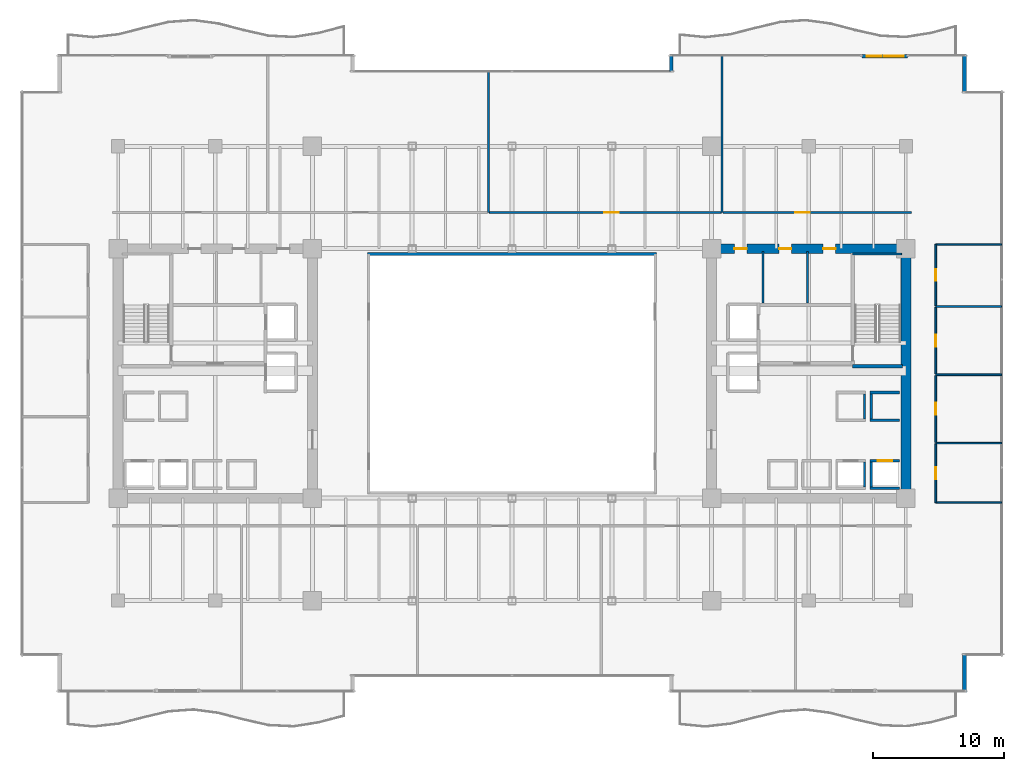
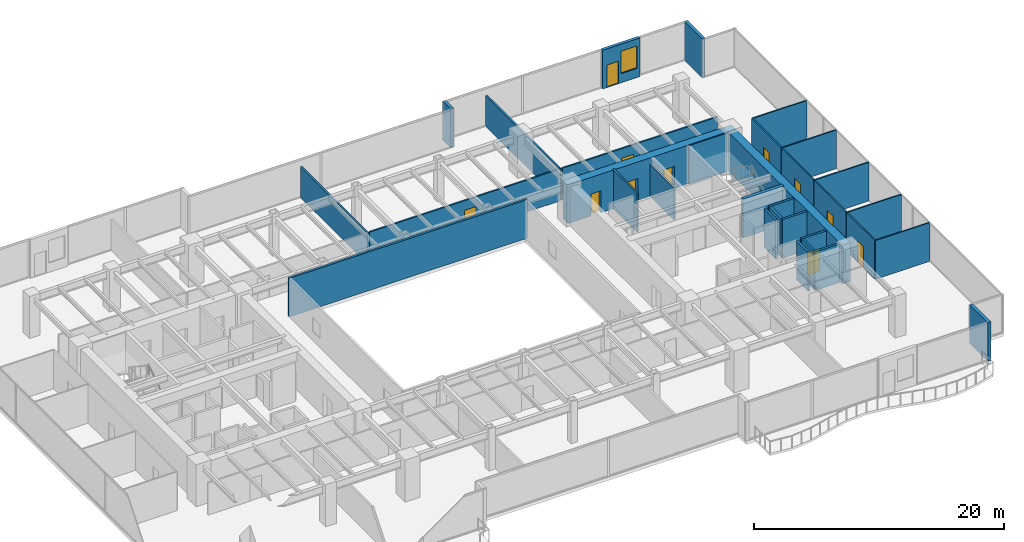
# One storey, part 27 of 31: 32 walls, 11 doors, 1 window, 12 openings.
"""IFC4 building model written with IfcOpenShell, lengths in metres."""

from ifc_helpers import new_model, si_unit, direction, frame, frame_2d, origin, place, context, subcontext, project, spatial, rectangle, extrude, source, transform, mapped, material, layer, layer_set, type_object, type_shapes, element, fill, save


model = new_model("IFC4")

# Units and contexts
model_context = context("Model", 3, precision=1e-05, world=origin(), true_north=direction((0.0, 1.0)))
body_context = subcontext(model_context, "Body", "Model", "MODEL_VIEW")
ifc_project = project(units=[si_unit("LENGTHUNIT", "METRE"), si_unit("AREAUNIT", "SQUARE_METRE"), si_unit("VOLUMEUNIT", "CUBIC_METRE"), si_unit("PLANEANGLEUNIT", "RADIAN"), si_unit("MASSUNIT", "GRAM", prefix="KILO")], contexts=[model_context])

# Site, building, storey
site_placement = place(None, origin())
site = spatial("IfcSite", under=ifc_project, at=site_placement, CompositionType="ELEMENT")
building_placement = place(site_placement, origin())
building = spatial("IfcBuilding", under=site, at=building_placement, Name="Haelvirn Gate Laboratories", CompositionType="ELEMENT")
storey_placement = place(building_placement, frame((0.0, 0.0, 62.10009765625)))
storey = spatial("IfcBuildingStorey", under=building, at=storey_placement, Name="L15", CompositionType="ELEMENT", Elevation=62.10009765625)

# Wall, openings, door, window
ifc_material_1 = material(Name="Thermally-broken bronze aluminium rainscreen & mineral wool", Category="aluminium")
ifc_layer_1 = layer(ifc_material_1, 0.280029296875, Name="EW-TERR-280")
ifc_layer_set_1 = layer_set([ifc_layer_1], Name="Thermally-broken bronze aluminium rainscreen & mineral wool")
wall_type_1 = type_object("IfcWallType", Name="EW-TERR-280", PredefinedType="STANDARD", material=ifc_layer_set_1)
wall_1_placement = place(storey_placement, frame((64.0419921875, 48.4599609375, 0.0), z_axis=(0.0, 0.0, 1.0), x_axis=(1.0, 0.0, 0.0)))
wall_1 = element("IfcWall", 1, at=wall_1_placement, inside=storey, type_object=wall_type_1, Name="L15 Terrace Access Wall WB-EL-N", PredefinedType="STANDARD", context=body_context, shape_type="SweptSolid", body=[
    extrude(rectangle(XDim=3.4609375, YDim=0.280029296875, at=frame_2d((1.73046875, 0.0))), origin(), (0.0, 0.0, 1.0), 3.77978515625),
])
opening_1_placement = place(wall_1_placement, frame((0.3779296875, 0.0, 0.0)))
opening_1 = element("IfcOpeningElement", 2, at=opening_1_placement, cuts=wall_1, Name="Opening TD1", PredefinedType="OPENING", context=body_context, shape_type="SweptSolid", body=[
    extrude(rectangle(XDim=1.10009765625, YDim=2.199951171875, at=frame_2d((0.550048828125, 1.10009765625))), frame((0.0, 0.14990234375, 0.0), z_axis=(0.0, -1.0, 0.0), x_axis=(1.0, 0.0, 0.0)), (0.0, 0.0, 1.0), 0.300048828125),
])
opening_2_placement = place(wall_1_placement, frame((1.677978515625, 0.0, 0.89990234375)))
opening_2 = element("IfcOpeningElement", 3, at=opening_2_placement, cuts=wall_1, Name="Opening W3", PredefinedType="OPENING", context=body_context, shape_type="SweptSolid", body=[
    extrude(rectangle(XDim=1.5, YDim=2.199951171875, at=frame_2d((0.75, 1.10009765625))), frame((0.0, 0.14990234375, 0.0), z_axis=(0.0, -1.0, 0.0), x_axis=(1.0, 0.0, 0.0)), (0.0, 0.0, 1.0), 0.300048828125),
])
ifc_material_2 = material(Name="Thermally-broken bronze aluminium glazed terrace door", Category="aluminium")
door_type_1 = type_object("IfcDoorType", Name="DR-TERR-1100", OperationType="NOTDEFINED", PredefinedType="DOOR", material=ifc_material_2)
shared_shape_1 = source(origin(), body_context, "Body", "SweptSolid", [
    extrude(rectangle(XDim=1.10009765625, YDim=2.199951171875, at=frame_2d((0.550048828125, 1.10009765625))), frame((0.0, 0.02490234375, 0.0), z_axis=(0.0, -1.0, 0.0), x_axis=(1.0, 0.0, 0.0)), (0.0, 0.0, 1.0), 0.050048828125),
])
type_shapes(door_type_1, [shared_shape_1])
door_1_placement = place(opening_1_placement, origin())
door_1 = element("IfcDoor", 4, at=door_1_placement, inside=storey, type_object=door_type_1, Name="L15 Terrace Access Door WB-EL-N", OperationType="SINGLE_SWING_RIGHT", OverallHeight=2.199951171875, OverallWidth=1.10009765625, PredefinedType="DOOR", context=body_context, shape_type="MappedRepresentation", body=[
    mapped(shared_shape_1, transform((0.0, 0.0, 0.0), scale=1.0)),
])
fill(opening_1, door_1)
ifc_material_3 = material(Name="Bronze anodised aluminium & triple low-E glass", Category="aluminium")
window_type = type_object("IfcWindowType", Name="WIN-TERR-1600", PartitioningType="SINGLE_PANEL", PredefinedType="WINDOW", material=ifc_material_3)
shared_shape_2 = source(origin(), body_context, "Body", "SweptSolid", [
    extrude(rectangle(XDim=1.5, YDim=2.199951171875, at=frame_2d((0.75, 1.10009765625))), frame((0.0, 0.030029296875, 0.0), z_axis=(0.0, -1.0, 0.0), x_axis=(1.0, 0.0, 0.0)), (0.0, 0.0, 1.0), 0.06005859375),
])
type_shapes(window_type, [shared_shape_2])
window_placement = place(opening_2_placement, origin())
window = element("IfcWindow", 5, at=window_placement, inside=storey, type_object=window_type, Name="L15 Terrace Vision Window WB-EL-N", OverallHeight=2.199951171875, OverallWidth=1.5, PartitioningType="SINGLE_PANEL", PredefinedType="WINDOW", context=body_context, shape_type="MappedRepresentation", body=[
    mapped(shared_shape_2, transform((0.0, 0.0, 0.0), scale=1.0)),
])
fill(opening_2, window)

# Walls
wall_2_placement = place(storey_placement, frame((71.860107421875, 0.0, 0.0), z_axis=(0.0, 0.0, 1.0), x_axis=(0.0, 1.0, 0.0)))
element("IfcWall", 6, at=wall_2_placement, inside=storey, type_object=wall_type_1, Name="L15 Atrium Recess Bronze Return Wall 05", PredefinedType="STANDARD", context=body_context, shape_type="SweptSolid", body=[
    extrude(rectangle(XDim=2.887939453125, YDim=0.280029296875, at=frame_2d((1.44384765625, 0.0))), origin(), (0.0, 0.0, 1.0), 3.77978515625),
])
wall_3_placement = place(storey_placement, frame((71.860107421875, 45.7119140625, 0.0), z_axis=(0.0, 0.0, 1.0), x_axis=(0.0, 1.0, 0.0)))
element("IfcWall", 7, at=wall_3_placement, inside=storey, type_object=wall_type_1, Name="L15 Atrium Recess Bronze Return Wall 09", PredefinedType="STANDARD", context=body_context, shape_type="SweptSolid", body=[
    extrude(rectangle(XDim=2.88818359375, YDim=0.280029296875, at=frame_2d((1.444091796875, 0.0))), origin(), (0.0, 0.0, 1.0), 3.77978515625),
])
wall_4_placement = place(storey_placement, frame((49.5400390625, 48.60009765625, 0.0), z_axis=(0.0, 0.0, 1.0), x_axis=(0.0, -1.0, 0.0)))
element("IfcWall", 8, at=wall_4_placement, inside=storey, type_object=wall_type_1, Name="L15 Atrium Recess Bronze Return Wall 11", PredefinedType="STANDARD", context=body_context, shape_type="SweptSolid", body=[
    extrude(rectangle(XDim=1.2880859375, YDim=0.280029296875, at=frame_2d((0.64404296875, 0.0))), origin(), (0.0, 0.0, 1.0), 3.77978515625),
])
ifc_material_4 = material(Name="Double-layer acoustic gypsum laboratory partition", Category="gypsum")
ifc_layer_2 = layer(ifc_material_4, 0.159912109375, Name="IW-ACOUST-160")
ifc_layer_set_2 = layer_set([ifc_layer_2], Name="Double-layer acoustic gypsum laboratory partition")
wall_type_2 = type_object("IfcWallType", Name="IW-ACOUST-160", PredefinedType="PARTITIONING", material=ifc_layer_set_2)
wall_5_placement = place(storey_placement, frame((35.60009765625, 36.56005859375, 0.0), z_axis=(0.0, 0.0, 1.0), x_axis=(0.0, 1.0, 0.0)))
element("IfcWall", 9, at=wall_5_placement, inside=storey, type_object=wall_type_2, Name="L15 Interior Wall IW-L15-NDIV-02", PredefinedType="PARTITIONING", context=body_context, shape_type="SweptSolid", body=[
    extrude(rectangle(XDim=10.72998046875, YDim=0.159912109375, at=frame_2d((5.364990234375, 0.0))), origin(), (0.0, 0.0, 1.0), 3.014892578125),
])
wall_6_placement = place(storey_placement, frame((53.39990234375, 36.56005859375, 0.0), z_axis=(0.0, 0.0, 1.0), x_axis=(0.0, 1.0, 0.0)))
element("IfcWall", 10, at=wall_6_placement, inside=storey, type_object=wall_type_2, Name="L15 Interior Wall IW-L15-NDIV-03", PredefinedType="PARTITIONING", context=body_context, shape_type="SweptSolid", body=[
    extrude(rectangle(XDim=11.929931640625, YDim=0.159912109375, at=frame_2d((5.96484375, 0.0))), origin(), (0.0, 0.0, 1.0), 3.014892578125),
])
ifc_material_5 = material(Name="Tempered fire-rated borosilicate glass & anodised aluminium", Category="aluminium")
ifc_layer_3 = layer(ifc_material_5, 0.195068359375, Name="IW-GLAZ-200")
ifc_layer_set_3 = layer_set([ifc_layer_3], Name="Tempered fire-rated borosilicate glass & anodised aluminium")
wall_type_3 = type_object("IfcWallType", Name="IW-GLAZ-200", PredefinedType="SOLIDWALL", material=ifc_layer_set_3)
wall_7_placement = place(storey_placement, frame((26.39990234375, 33.39990234375, 0.0), z_axis=(0.0, 0.0, 1.0), x_axis=(1.0, 0.0, 0.0)))
element("IfcWall", 11, at=wall_7_placement, inside=storey, type_object=wall_type_3, Name="L15 Interior Wall IW-L15-ATRIUM-N", PredefinedType="SOLIDWALL", context=body_context, shape_type="SweptSolid", body=[
    extrude(rectangle(XDim=22.0, YDim=0.195068359375, at=frame_2d((11.0, 0.0))), origin(), (0.0, 0.0, 1.0), 3.77978515625),
])
ifc_material_6 = material(Name="Lightweight acoustic gypsum board partition", Category="gypsum")
ifc_layer_4 = layer(ifc_material_6, 0.1201171875, Name="IW-PART-120")
ifc_layer_set_4 = layer_set([ifc_layer_4], Name="Lightweight acoustic gypsum board partition")
wall_type_4 = type_object("IfcWallType", Name="IW-PART-120", PredefinedType="PARTITIONING", material=ifc_layer_set_4)
for number, where, z_axis, x_axis, name in (
    (12, (69.669921875, 14.465087890625, 0.0), (0.0, 0.0, 1.0), (1.0, 0.0, 0.0), "L15 Interior Wall IW-L15-ECAP-S"),
    (13, (69.669921875, 34.135009765625, 0.0), (0.0, 0.0, 1.0), (1.0, 0.0, 0.0), "L15 Interior Wall IW-L15-ECAP-N"),
):
    element("IfcWall", number, at=place(storey_placement, frame(where, z_axis=z_axis, x_axis=x_axis)), inside=storey, type_object=wall_type_4, Name=name, PredefinedType="PARTITIONING", context=body_context, shape_type="SweptSolid", body=[
        extrude(rectangle(XDim=5.02001953125, YDim=0.1201171875, at=frame_2d((2.510009765625, 0.0))), origin(), (0.0, 0.0, 1.0), 3.77978515625),
    ])

# Wall, opening, door
wall_8_placement = place(storey_placement, frame((69.669921875, 14.465087890625, 0.0), z_axis=(0.0, 0.0, 1.0), x_axis=(0.0, 1.0, 0.0)))
wall_8 = element("IfcWall", 14, at=wall_8_placement, inside=storey, type_object=wall_type_4, Name="L15 Interior Wall IW-L15-EPASS-01", PredefinedType="PARTITIONING", context=body_context, shape_type="SweptSolid", body=[
    extrude(rectangle(XDim=4.474853515625, YDim=0.1201171875, at=frame_2d((2.2373046875, 0.0))), origin(), (0.0, 0.0, 1.0), 3.77978515625),
])
opening_3_placement = place(wall_8_placement, frame((1.78759765625, 0.0, 0.0)))
opening_3 = element("IfcOpeningElement", 15, at=opening_3_placement, cuts=wall_8, Name="Opening D4", PredefinedType="OPENING", context=body_context, shape_type="SweptSolid", body=[
    extrude(rectangle(XDim=0.89990234375, YDim=2.10009765625, at=frame_2d((0.449951171875, 1.050048828125))), frame((0.0, 0.070068359375, 0.0), z_axis=(0.0, -1.0, 0.0), x_axis=(1.0, 0.0, 0.0)), (0.0, 0.0, 1.0), 0.14013671875),
])
ifc_material_7 = material(Name="Glazed aluminium-framed write-up door", Category="aluminium")
door_type_2 = type_object("IfcDoorType", Name="DR-OFF-900", OperationType="NOTDEFINED", PredefinedType="DOOR", material=ifc_material_7)
shared_shape_3 = source(origin(), body_context, "Body", "SweptSolid", [
    extrude(rectangle(XDim=0.89990234375, YDim=2.10009765625, at=frame_2d((0.449951171875, 1.050048828125))), frame((0.0, 0.02490234375, 0.0), z_axis=(0.0, -1.0, 0.0), x_axis=(1.0, 0.0, 0.0)), (0.0, 0.0, 1.0), 0.050048828125),
])
type_shapes(door_type_2, [shared_shape_3])
door_2_placement = place(opening_3_placement, origin())
door_2 = element("IfcDoor", 16, at=door_2_placement, inside=storey, type_object=door_type_2, Name="L15 Chemical Synthesis Laboratory Door E1", OperationType="SINGLE_SWING_LEFT", OverallHeight=2.10009765625, OverallWidth=0.89990234375, PredefinedType="DOOR", context=body_context, shape_type="MappedRepresentation", body=[
    mapped(shared_shape_3, transform((0.0, 0.0, 0.0), scale=1.0)),
])
fill(opening_3, door_2)

# Wall
wall_9_placement = place(storey_placement, frame((69.669921875, 19.0, 0.0), z_axis=(0.0, 0.0, 1.0), x_axis=(1.0, 0.0, 0.0)))
element("IfcWall", 17, at=wall_9_placement, inside=storey, type_object=wall_type_4, Name="L15 Interior Wall IW-L15-EDIV-01", PredefinedType="PARTITIONING", context=body_context, shape_type="SweptSolid", body=[
    extrude(rectangle(XDim=5.02001953125, YDim=0.1201171875, at=frame_2d((2.510009765625, 0.0))), origin(), (0.0, 0.0, 1.0), 3.77978515625),
])

# Wall, opening, door
wall_10_placement = place(storey_placement, frame((69.669921875, 19.06005859375, 0.0), z_axis=(0.0, 0.0, 1.0), x_axis=(0.0, 1.0, 0.0)))
wall_10 = element("IfcWall", 18, at=wall_10_placement, inside=storey, type_object=wall_type_4, Name="L15 Interior Wall IW-L15-EPASS-02", PredefinedType="PARTITIONING", context=body_context, shape_type="SweptSolid", body=[
    extrude(rectangle(XDim=5.079833984375, YDim=0.1201171875, at=frame_2d((2.5400390625, 0.0))), origin(), (0.0, 0.0, 1.0), 3.77978515625),
])
opening_4_placement = place(wall_10_placement, frame((2.090087890625, 0.0, 0.0)))
opening_4 = element("IfcOpeningElement", 19, at=opening_4_placement, cuts=wall_10, Name="Opening D4", PredefinedType="OPENING", context=body_context, shape_type="SweptSolid", body=[
    extrude(rectangle(XDim=0.89990234375, YDim=2.10009765625, at=frame_2d((0.449951171875, 1.050048828125))), frame((0.0, 0.070068359375, 0.0), z_axis=(0.0, -1.0, 0.0), x_axis=(1.0, 0.0, 0.0)), (0.0, 0.0, 1.0), 0.14013671875),
])
door_3_placement = place(opening_4_placement, origin())
door_3 = element("IfcDoor", 20, at=door_3_placement, inside=storey, type_object=door_type_2, Name="L15 Bioprocess Foundry Laboratory Door E2", OperationType="SINGLE_SWING_RIGHT", OverallHeight=2.10009765625, OverallWidth=0.89990234375, PredefinedType="DOOR", context=body_context, shape_type="MappedRepresentation", body=[
    mapped(shared_shape_3, transform((0.0, 0.0, 0.0), scale=1.0)),
])
fill(opening_4, door_3)

# Wall
wall_11_placement = place(storey_placement, frame((69.669921875, 24.199951171875, 0.0), z_axis=(0.0, 0.0, 1.0), x_axis=(1.0, 0.0, 0.0)))
element("IfcWall", 21, at=wall_11_placement, inside=storey, type_object=wall_type_4, Name="L15 Interior Wall IW-L15-EDIV-02", PredefinedType="PARTITIONING", context=body_context, shape_type="SweptSolid", body=[
    extrude(rectangle(XDim=5.02001953125, YDim=0.1201171875, at=frame_2d((2.510009765625, 0.0))), origin(), (0.0, 0.0, 1.0), 3.77978515625),
])

# Wall, opening, door
wall_12_placement = place(storey_placement, frame((69.669921875, 24.260009765625, 0.0), z_axis=(0.0, 0.0, 1.0), x_axis=(0.0, 1.0, 0.0)))
wall_12 = element("IfcWall", 22, at=wall_12_placement, inside=storey, type_object=wall_type_4, Name="L15 Interior Wall IW-L15-EPASS-03", PredefinedType="PARTITIONING", context=body_context, shape_type="SweptSolid", body=[
    extrude(rectangle(XDim=5.080078125, YDim=0.1201171875, at=frame_2d((2.5400390625, 0.0))), origin(), (0.0, 0.0, 1.0), 3.77978515625),
])
opening_5_placement = place(wall_12_placement, frame((2.090087890625, 0.0, 0.0)))
opening_5 = element("IfcOpeningElement", 23, at=opening_5_placement, cuts=wall_12, Name="Opening D4", PredefinedType="OPENING", context=body_context, shape_type="SweptSolid", body=[
    extrude(rectangle(XDim=0.89990234375, YDim=2.10009765625, at=frame_2d((0.449951171875, 1.050048828125))), frame((0.0, 0.070068359375, 0.0), z_axis=(0.0, -1.0, 0.0), x_axis=(1.0, 0.0, 0.0)), (0.0, 0.0, 1.0), 0.14013671875),
])
door_4_placement = place(opening_5_placement, origin())
door_4 = element("IfcDoor", 24, at=door_4_placement, inside=storey, type_object=door_type_2, Name="L15 Genomics Assay Laboratory Door E3", OperationType="SINGLE_SWING_LEFT", OverallHeight=2.10009765625, OverallWidth=0.89990234375, PredefinedType="DOOR", context=body_context, shape_type="MappedRepresentation", body=[
    mapped(shared_shape_3, transform((0.0, 0.0, 0.0), scale=1.0)),
])
fill(opening_5, door_4)

# Wall
wall_13_placement = place(storey_placement, frame((69.669921875, 29.39990234375, 0.0), z_axis=(0.0, 0.0, 1.0), x_axis=(1.0, 0.0, 0.0)))
element("IfcWall", 25, at=wall_13_placement, inside=storey, type_object=wall_type_4, Name="L15 Interior Wall IW-L15-EDIV-03", PredefinedType="PARTITIONING", context=body_context, shape_type="SweptSolid", body=[
    extrude(rectangle(XDim=5.02001953125, YDim=0.1201171875, at=frame_2d((2.510009765625, 0.0))), origin(), (0.0, 0.0, 1.0), 3.77978515625),
])

# Wall, opening, door
wall_14_placement = place(storey_placement, frame((69.669921875, 29.4599609375, 0.0), z_axis=(0.0, 0.0, 1.0), x_axis=(0.0, 1.0, 0.0)))
wall_14 = element("IfcWall", 26, at=wall_14_placement, inside=storey, type_object=wall_type_4, Name="L15 Interior Wall IW-L15-EPASS-04", PredefinedType="PARTITIONING", context=body_context, shape_type="SweptSolid", body=[
    extrude(rectangle(XDim=4.675048828125, YDim=0.1201171875, at=frame_2d((2.33740234375, 0.0))), origin(), (0.0, 0.0, 1.0), 3.77978515625),
])
opening_6_placement = place(wall_14_placement, frame((1.887451171875, 0.0, 0.0)))
opening_6 = element("IfcOpeningElement", 27, at=opening_6_placement, cuts=wall_14, Name="Opening D4", PredefinedType="OPENING", context=body_context, shape_type="SweptSolid", body=[
    extrude(rectangle(XDim=0.89990234375, YDim=2.10009765625, at=frame_2d((0.449951171875, 1.050048828125))), frame((0.0, 0.070068359375, 0.0), z_axis=(0.0, -1.0, 0.0), x_axis=(1.0, 0.0, 0.0)), (0.0, 0.0, 1.0), 0.14013671875),
])
door_5_placement = place(opening_6_placement, origin())
door_5 = element("IfcDoor", 28, at=door_5_placement, inside=storey, type_object=door_type_2, Name="L15 Proteomics Mass-Spec Laboratory Door E4", OperationType="SINGLE_SWING_RIGHT", OverallHeight=2.10009765625, OverallWidth=0.89990234375, PredefinedType="DOOR", context=body_context, shape_type="MappedRepresentation", body=[
    mapped(shared_shape_3, transform((0.0, 0.0, 0.0), scale=1.0)),
])
fill(opening_6, door_5)

ifc_material_8 = material(Name="Acoustic mineral-wool gypsum board partition", Category="gypsum")
ifc_layer_5 = layer(ifc_material_8, 0.139892578125, Name="IW-PART-140")
ifc_layer_set_5 = layer_set([ifc_layer_5], Name="Acoustic mineral-wool gypsum board partition")
wall_type_5 = type_object("IfcWallType", Name="IW-PART-140", PredefinedType="PARTITIONING", material=ifc_layer_set_5)
wall_15_placement = place(storey_placement, frame((35.679931640625, 36.56005859375, 0.0), z_axis=(0.0, 0.0, 1.0), x_axis=(1.0, 0.0, 0.0)))
wall_15 = element("IfcWall", 29, at=wall_15_placement, inside=storey, type_object=wall_type_5, Name="L15 Interior Wall IW-L15-NCORR-03", PredefinedType="PARTITIONING", context=body_context, shape_type="SweptSolid", body=[
    extrude(rectangle(XDim=17.64013671875, YDim=0.139892578125, at=frame_2d((8.820068359375, 0.0))), origin(), (0.0, 0.0, 1.0), 3.114990234375),
])
opening_7_placement = place(wall_15_placement, frame((8.7451171875, 0.0, 0.0)))
opening_7 = element("IfcOpeningElement", 30, at=opening_7_placement, cuts=wall_15, Name="Opening D1", PredefinedType="OPENING", context=body_context, shape_type="SweptSolid", body=[
    extrude(rectangle(XDim=1.10009765625, YDim=2.179931640625, at=frame_2d((0.550048828125, 1.08984375))), frame((0.0, 0.080078125, 0.0), z_axis=(0.0, -1.0, 0.0), x_axis=(1.0, 0.0, 0.0)), (0.0, 0.0, 1.0), 0.159912109375),
])
ifc_material_9 = material(Name="Vision-panel acoustic solid-core timber lab door", Category="wood")
door_type_3 = type_object("IfcDoorType", Name="DR-LAB-1100", OperationType="NOTDEFINED", PredefinedType="DOOR", material=ifc_material_9)
shared_shape_4 = source(origin(), body_context, "Body", "SweptSolid", [
    extrude(rectangle(XDim=1.10009765625, YDim=2.179931640625, at=frame_2d((0.550048828125, 1.08984375))), frame((0.0, 0.02490234375, 0.0), z_axis=(0.0, -1.0, 0.0), x_axis=(1.0, 0.0, 0.0)), (0.0, 0.0, 1.0), 0.050048828125),
])
type_shapes(door_type_3, [shared_shape_4])
door_6_placement = place(opening_7_placement, origin())
door_6 = element("IfcDoor", 31, at=door_6_placement, inside=storey, type_object=door_type_3, Name="L15 Researcher Break Pantry Door N3", OperationType="SINGLE_SWING_LEFT", OverallHeight=2.179931640625, OverallWidth=1.10009765625, PredefinedType="DOOR", context=body_context, shape_type="MappedRepresentation", body=[
    mapped(shared_shape_4, transform((0.0, 0.0, 0.0), scale=1.0)),
])
fill(opening_7, door_6)

wall_16_placement = place(storey_placement, frame((53.47998046875, 36.56005859375, 0.0), z_axis=(0.0, 0.0, 1.0), x_axis=(1.0, 0.0, 0.0)))
wall_16 = element("IfcWall", 32, at=wall_16_placement, inside=storey, type_object=wall_type_5, Name="L15 Interior Wall IW-L15-NCORR-04", PredefinedType="PARTITIONING", context=body_context, shape_type="SweptSolid", body=[
    extrude(rectangle(XDim=14.340087890625, YDim=0.139892578125, at=frame_2d((7.169921875, 0.0))), origin(), (0.0, 0.0, 1.0), 3.114990234375),
])
opening_8_placement = place(wall_16_placement, frame((5.491455078125, 0.0, 0.0)))
opening_8 = element("IfcOpeningElement", 33, at=opening_8_placement, cuts=wall_16, Name="Opening D1", PredefinedType="OPENING", context=body_context, shape_type="SweptSolid", body=[
    extrude(rectangle(XDim=1.10009765625, YDim=2.179931640625, at=frame_2d((0.550048828125, 1.08984375))), frame((0.0, 0.080078125, 0.0), z_axis=(0.0, -1.0, 0.0), x_axis=(1.0, 0.0, 0.0)), (0.0, 0.0, 1.0), 0.159912109375),
])
door_7_placement = place(opening_8_placement, origin())
door_7 = element("IfcDoor", 34, at=door_7_placement, inside=storey, type_object=door_type_3, Name="L15 Proteomics Mass-Spec Laboratory Door N4", OperationType="SINGLE_SWING_RIGHT", OverallHeight=2.179931640625, OverallWidth=1.10009765625, PredefinedType="DOOR", context=body_context, shape_type="MappedRepresentation", body=[
    mapped(shared_shape_4, transform((0.0, 0.0, 0.0), scale=1.0)),
])
fill(opening_8, door_7)

# Walls
ifc_material_10 = material(Name="Cement-board restroom plumbing chase wall", Category="gypsum")
ifc_layer_6 = layer(ifc_material_10, 0.155029296875, Name="IW-PLUMB-160")
ifc_layer_set_6 = layer_set([ifc_layer_6], Name="Cement-board restroom plumbing chase wall")
wall_type_6 = type_object("IfcWallType", Name="IW-PLUMB-160", PredefinedType="PLUMBINGWALL", material=ifc_layer_set_6)
wall_17_placement = place(storey_placement, frame((59.909912109375, 29.64990234375, 0.0), z_axis=(0.0, 0.0, 1.0), x_axis=(0.0, 1.0, 0.0)))
element("IfcWall", 35, at=wall_17_placement, inside=storey, type_object=wall_type_6, Name="L15 Interior Wall IW-L15-E-CDIV-1", PredefinedType="PLUMBINGWALL", context=body_context, shape_type="SweptSolid", body=[
    extrude(rectangle(XDim=3.93017578125, YDim=0.155029296875, at=frame_2d((1.965087890625, 0.0))), origin(), (0.0, 0.0, 1.0), 3.114990234375),
])
wall_18_placement = place(storey_placement, frame((56.510009765625, 29.64990234375, 0.0), z_axis=(0.0, 0.0, 1.0), x_axis=(0.0, 1.0, 0.0)))
element("IfcWall", 36, at=wall_18_placement, inside=storey, type_object=wall_type_6, Name="L15 Interior Wall IW-L15-E-CDIV-2", PredefinedType="PLUMBINGWALL", context=body_context, shape_type="SweptSolid", body=[
    extrude(rectangle(XDim=3.93017578125, YDim=0.155029296875, at=frame_2d((1.965087890625, 0.0))), origin(), (0.0, 0.0, 1.0), 3.77978515625),
])
ifc_material_11 = material(Name="Concrete C40/50", Category="concrete")
ifc_layer_7 = layer(ifc_material_11, 0.179931640625, Name="IW-SHAFT-180")
ifc_layer_set_7 = layer_set([ifc_layer_7], Name="Concrete C40/50")
wall_type_7 = type_object("IfcWallType", Name="IW-SHAFT-180", PredefinedType="SOLIDWALL", material=ifc_layer_set_7)
for number, where, z_axis, x_axis, name in (
    (37, (64.75, 15.64990234375, 0.0), (0.0, 0.0, 1.0), (0.0, 1.0, 0.0), "L15 Interior Wall IW-L15-PL3-SD"),
    (38, (64.25, 15.64990234375, 0.0), (0.0, 0.0, 1.0), (0.0, 1.0, 0.0), "L15 Interior Wall IW-L15-PL4-SDE"),
):
    element("IfcWall", number, at=place(storey_placement, frame(where, z_axis=z_axis, x_axis=x_axis)), inside=storey, type_object=wall_type_7, Name=name, PredefinedType="SOLIDWALL", context=body_context, shape_type="SweptSolid", body=[
        extrude(rectangle(XDim=1.900146484375, YDim=0.179931640625, at=frame_2d((0.9501953125, 0.0))), origin(), (0.0, 0.0, 1.0), 3.77978515625),
    ])
for number, where, z_axis, x_axis, name in (
    (39, (64.75, 20.85009765625, 0.0), (0.0, 0.0, 1.0), (0.0, 1.0, 0.0), "L15 Interior Wall IW-L15-PL11-SD"),
    (40, (64.25, 20.85009765625, 0.0), (0.0, 0.0, 1.0), (0.0, 1.0, 0.0), "L15 Interior Wall IW-L15-PL12-SDE"),
):
    element("IfcWall", number, at=place(storey_placement, frame(where, z_axis=z_axis, x_axis=x_axis)), inside=storey, type_object=wall_type_7, Name=name, PredefinedType="SOLIDWALL", context=body_context, shape_type="SweptSolid", body=[
        extrude(rectangle(XDim=1.89990234375, YDim=0.179931640625, at=frame_2d((0.949951171875, 0.0))), origin(), (0.0, 0.0, 1.0), 3.77978515625),
    ])

# Wall, opening, door
ifc_layer_8 = layer(ifc_material_11, 0.199951171875, Name="IW-SHAFT-200")
ifc_layer_set_8 = layer_set([ifc_layer_8], Name="Concrete C40/50")
wall_type_8 = type_object("IfcWallType", Name="IW-SHAFT-200", PredefinedType="SOLIDWALL", material=ifc_layer_set_8)
wall_19_placement = place(storey_placement, frame((64.669921875, 17.64990234375, 0.0), z_axis=(0.0, 0.0, 1.0), x_axis=(1.0, 0.0, 0.0)))
wall_19 = element("IfcWall", 41, at=wall_19_placement, inside=storey, type_object=wall_type_8, Name="L15 Interior Wall IW-L15-PL3-FR", PredefinedType="SOLIDWALL", context=body_context, shape_type="SweptSolid", body=[
    extrude(rectangle(XDim=2.260009765625, YDim=0.199951171875, at=frame_2d((1.1298828125, 0.0))), origin(), (0.0, 0.0, 1.0), 3.77978515625),
])
opening_9_placement = place(wall_19_placement, frame((0.580078125, 0.0, 0.0)))
opening_9 = element("IfcOpeningElement", 42, at=opening_9_placement, cuts=wall_19, Name="Opening LD2", PredefinedType="OPENING", context=body_context, shape_type="SweptSolid", body=[
    extrude(rectangle(XDim=1.10009765625, YDim=2.219970703125, at=frame_2d((0.550048828125, 1.10986328125))), frame((0.0, 0.10986328125, 0.0), z_axis=(0.0, -1.0, 0.0), x_axis=(1.0, 0.0, 0.0)), (0.0, 0.0, 1.0), 0.219970703125),
])
ifc_material_12 = material(Name="Bronze stainless 316L sliding lift landing door")
door_type_4 = type_object("IfcDoorType", Name="DR-LD-1100", OperationType="NOTDEFINED", PredefinedType="USERDEFINED", material=ifc_material_12)
shared_shape_5 = source(origin(), body_context, "Body", "SweptSolid", [
    extrude(rectangle(XDim=1.10009765625, YDim=2.219970703125, at=frame_2d((0.550048828125, 1.10986328125))), frame((0.0, 0.02490234375, 0.0), z_axis=(0.0, -1.0, 0.0), x_axis=(1.0, 0.0, 0.0)), (0.0, 0.0, 1.0), 0.050048828125),
])
type_shapes(door_type_4, [shared_shape_5])
door_8_placement = place(opening_9_placement, origin())
door_8 = element("IfcDoor", 43, at=door_8_placement, inside=storey, type_object=door_type_4, Name="L15 Passenger Lift PL3 Landing Door", ObjectType="LANDING_DOOR", OperationType="SLIDING_TO_LEFT", OverallHeight=2.219970703125, OverallWidth=1.10009765625, PredefinedType="USERDEFINED", context=body_context, shape_type="MappedRepresentation", body=[
    mapped(shared_shape_5, transform((0.0, 0.0, 0.0), scale=1.0)),
])
fill(opening_9, door_8)

# Walls
for number, where, z_axis, x_axis, name in (
    (44, (64.669921875, 15.550048828125, 0.0), (0.0, 0.0, 1.0), (1.0, 0.0, 0.0), "L15 Interior Wall IW-L15-PL3-BK"),
    (45, (64.669921875, 20.75, 0.0), (0.0, 0.0, 1.0), (1.0, 0.0, 0.0), "L15 Interior Wall IW-L15-PL11-FR"),
    (46, (64.669921875, 22.85009765625, 0.0), (0.0, 0.0, 1.0), (1.0, 0.0, 0.0), "L15 Interior Wall IW-L15-PL11-BK"),
):
    element("IfcWall", number, at=place(storey_placement, frame(where, z_axis=z_axis, x_axis=x_axis)), inside=storey, type_object=wall_type_8, Name=name, PredefinedType="SOLIDWALL", context=body_context, shape_type="SweptSolid", body=[
        extrude(rectangle(XDim=2.260009765625, YDim=0.199951171875, at=frame_2d((1.1298828125, 0.0))), origin(), (0.0, 0.0, 1.0), 3.77978515625),
    ])

# Wall, openings, doors
ifc_material_13 = material(Name="Concrete C70/85", Category="concrete")
ifc_layer_9 = layer(ifc_material_13, 0.75, Name="SW-CORE-750")
ifc_layer_set_9 = layer_set([ifc_layer_9], Name="Concrete C70/85")
wall_type_9 = type_object("IfcWallType", Name="SW-CORE-750", PredefinedType="SHEAR", material=ifc_layer_set_9)
wall_20_placement = place(storey_placement, frame((52.22509765625, 33.800048828125, 0.0), z_axis=(0.0, 0.0, 1.0), x_axis=(1.0, 0.0, 0.0)))
wall_20 = element("IfcWall", 47, at=wall_20_placement, inside=storey, type_object=wall_type_9, Name="L15 E Core Shear Wall N", PredefinedType="SHEAR", context=body_context, shape_type="SweptSolid", body=[
    extrude(rectangle(XDim=15.5498046875, YDim=0.75, at=frame_2d((7.77490234375, 0.0))), origin(), (0.0, 0.0, 1.0), 3.77978515625),
])
opening_10_placement = place(wall_20_placement, frame((8.875, 0.0, 0.0)))
opening_10 = element("IfcOpeningElement", 48, at=opening_10_placement, cuts=wall_20, Name="Opening FD4", PredefinedType="OPENING", context=body_context, shape_type="SweptSolid", body=[
    extrude(rectangle(XDim=0.949951171875, YDim=2.14990234375, at=frame_2d((0.47509765625, 1.074951171875))), frame((0.0, 0.385009765625, 0.0), z_axis=(0.0, -1.0, 0.0), x_axis=(1.0, 0.0, 0.0)), (0.0, 0.0, 1.0), 0.77001953125),
])
opening_11_placement = place(wall_20_placement, frame((5.510009765625, 0.0, 0.0)))
opening_11 = element("IfcOpeningElement", 49, at=opening_11_placement, cuts=wall_20, Name="Opening FD4", PredefinedType="OPENING", context=body_context, shape_type="SweptSolid", body=[
    extrude(rectangle(XDim=0.949951171875, YDim=2.14990234375, at=frame_2d((0.47509765625, 1.074951171875))), frame((0.0, 0.385009765625, 0.0), z_axis=(0.0, -1.0, 0.0), x_axis=(1.0, 0.0, 0.0)), (0.0, 0.0, 1.0), 0.77001953125),
])
opening_12_placement = place(wall_20_placement, frame((2.110107421875, 0.0, 0.0)))
opening_12 = element("IfcOpeningElement", 50, at=opening_12_placement, cuts=wall_20, Name="Opening FD4", PredefinedType="OPENING", context=body_context, shape_type="SweptSolid", body=[
    extrude(rectangle(XDim=0.949951171875, YDim=2.14990234375, at=frame_2d((0.47509765625, 1.074951171875))), frame((0.0, 0.385009765625, 0.0), z_axis=(0.0, -1.0, 0.0), x_axis=(1.0, 0.0, 0.0)), (0.0, 0.0, 1.0), 0.77001953125),
])
ifc_material_14 = material(Name="Fire-rated steel SM355 core service door", Category="steel")
door_type_5 = type_object("IfcDoorType", Name="DR-FD-950", OperationType="NOTDEFINED", PredefinedType="DOOR", material=ifc_material_14)
shared_shape_6 = source(origin(), body_context, "Body", "SweptSolid", [
    extrude(rectangle(XDim=0.949951171875, YDim=2.14990234375, at=frame_2d((0.47509765625, 1.074951171875))), frame((0.0, 0.02490234375, 0.0), z_axis=(0.0, -1.0, 0.0), x_axis=(1.0, 0.0, 0.0)), (0.0, 0.0, 1.0), 0.050048828125),
])
type_shapes(door_type_5, [shared_shape_6])
door_9_placement = place(opening_10_placement, origin())
door_9 = element("IfcDoor", 51, at=door_9_placement, inside=storey, type_object=door_type_5, Name="L15 Male Restroom Fire Door", OperationType="SINGLE_SWING_RIGHT", OverallHeight=2.14990234375, OverallWidth=0.949951171875, PredefinedType="DOOR", context=body_context, shape_type="MappedRepresentation", body=[
    mapped(shared_shape_6, transform((0.0, 0.0, 0.0), scale=1.0)),
])
fill(opening_10, door_9)
door_10_placement = place(opening_11_placement, origin())
door_10 = element("IfcDoor", 52, at=door_10_placement, inside=storey, type_object=door_type_5, Name="L15 Female Restroom Fire Door", OperationType="SINGLE_SWING_LEFT", OverallHeight=2.14990234375, OverallWidth=0.949951171875, PredefinedType="DOOR", context=body_context, shape_type="MappedRepresentation", body=[
    mapped(shared_shape_6, transform((0.0, 0.0, 0.0), scale=1.0)),
])
fill(opening_11, door_10)
door_11_placement = place(opening_12_placement, origin())
door_11 = element("IfcDoor", 53, at=door_11_placement, inside=storey, type_object=door_type_5, Name="L15 Accessible Restroom Fire Door", OperationType="SINGLE_SWING_RIGHT", OverallHeight=2.14990234375, OverallWidth=0.949951171875, PredefinedType="DOOR", context=body_context, shape_type="MappedRepresentation", body=[
    mapped(shared_shape_6, transform((0.0, 0.0, 0.0), scale=1.0)),
])
fill(opening_12, door_11)

# Walls
wall_21_placement = place(storey_placement, frame((67.39990234375, 15.175048828125, 0.0), z_axis=(0.0, 0.0, 1.0), x_axis=(0.0, 1.0, 0.0)))
element("IfcWall", 54, at=wall_21_placement, inside=storey, type_object=wall_type_9, Name="L15 E Core Shear Wall E", PredefinedType="SHEAR", context=body_context, shape_type="SweptSolid", body=[
    extrude(rectangle(XDim=18.25, YDim=0.75, at=frame_2d((9.125, 0.0))), origin(), (0.0, 0.0, 1.0), 3.77978515625),
])
ifc_material_15 = material(Name="Concrete C50/60", Category="concrete")
ifc_layer_10 = layer(ifc_material_15, 0.1201171875, Name="SW-LINER-120")
ifc_layer_set_10 = layer_set([ifc_layer_10], Name="Concrete C50/60")
wall_type_10 = type_object("IfcWallType", Name="SW-LINER-120", PredefinedType="SOLIDWALL", material=ifc_layer_set_10)
wall_22_placement = place(storey_placement, frame((63.35009765625, 33.39990234375, 0.0), z_axis=(0.0, 0.0, 1.0), x_axis=(1.0, 0.0, 0.0)))
element("IfcWall", 55, at=wall_22_placement, inside=storey, type_object=wall_type_10, Name="L15 E Core Stair Shaft Liner Wall N", PredefinedType="SOLIDWALL", context=body_context, shape_type="SweptSolid", body=[
    extrude(rectangle(XDim=3.719970703125, YDim=0.1201171875, at=frame_2d((1.85986328125, 0.0))), origin(), (0.0, 0.0, 1.0), 3.77978515625),
])
ifc_layer_11 = layer(ifc_material_15, 0.300048828125, Name="SW-STAIR-300")
ifc_layer_set_11 = layer_set([ifc_layer_11], Name="Concrete C50/60")
wall_type_11 = type_object("IfcWallType", Name="SW-STAIR-300", PredefinedType="SHEAR", material=ifc_layer_set_11)
wall_23_placement = place(storey_placement, frame((63.35009765625, 24.85009765625, 0.0), z_axis=(0.0, 0.0, 1.0), x_axis=(1.0, 0.0, 0.0)))
element("IfcWall", 56, at=wall_23_placement, inside=storey, type_object=wall_type_11, Name="L15 E Core Stair Shaft Structural Wall S", PredefinedType="SHEAR", context=body_context, shape_type="SweptSolid", body=[
    extrude(rectangle(XDim=3.7998046875, YDim=0.300048828125, at=frame_2d((1.89990234375, 0.0))), origin(), (0.0, 0.0, 1.0), 3.77978515625),
])

save(model, "model.ifc")
